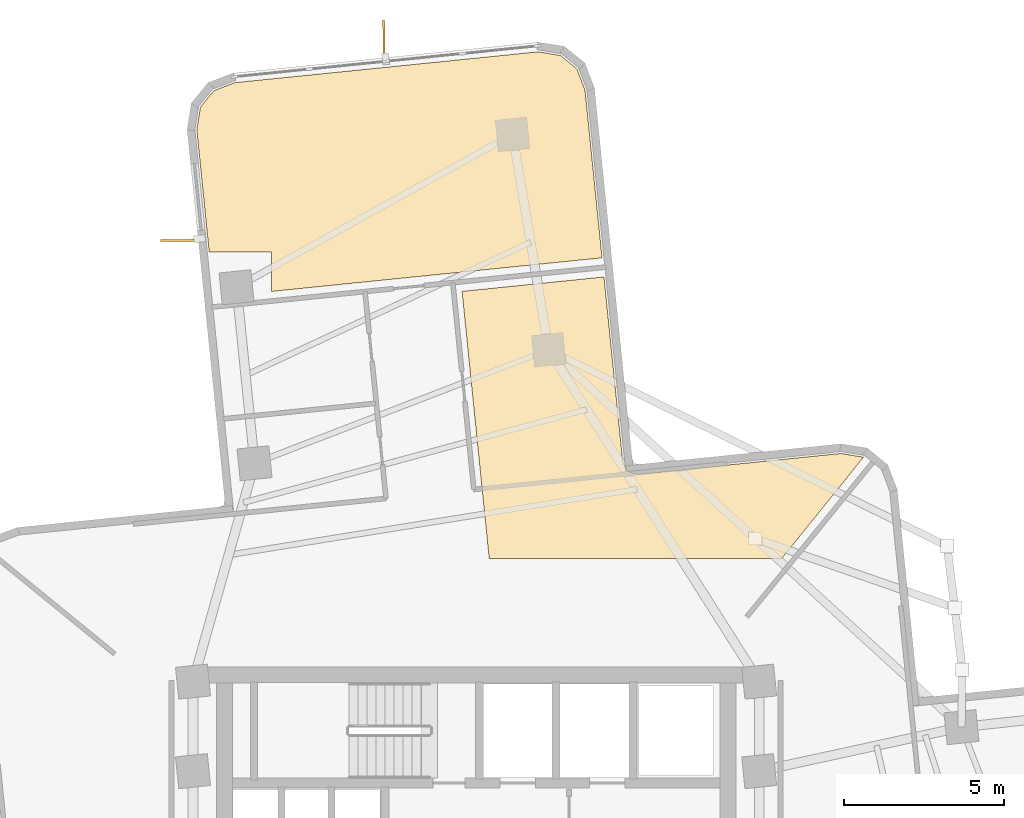
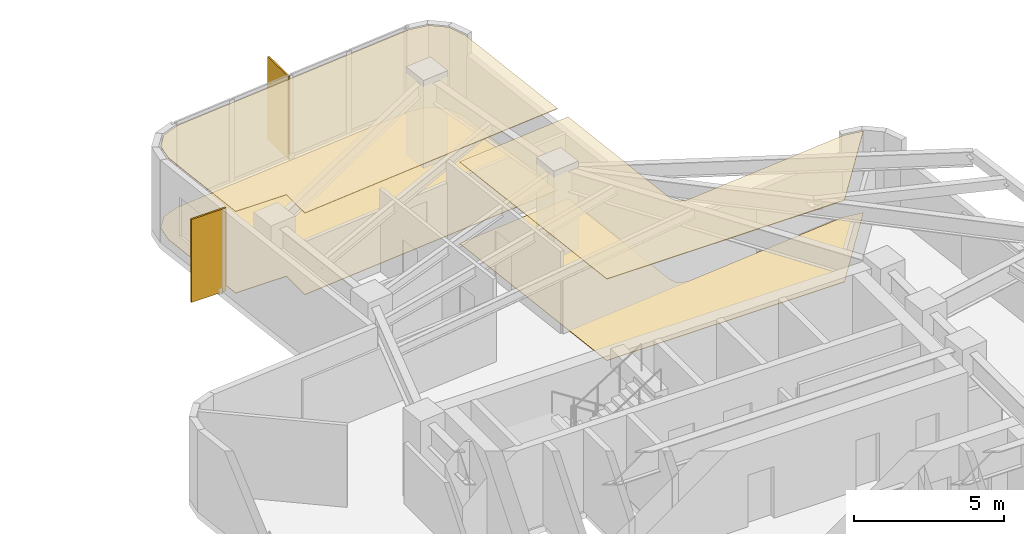
# One storey, part 12 of 12: 4 coverings, 2 shading devices.
"""IFC4 building model written with IfcOpenShell, lengths in metres."""

import ifcopenshell
import ifcopenshell.guid

model = None  # the IFC model being written
_history = None  # IfcOwnerHistory: only IFC2X3 demands one
_inside = {}  # id of a spatial element -> (the spatial element, [elements in it])
_under = {}  # id of a project, library or spatial element -> (it, [spatial elements below it])
_declared = {}  # id of a project -> (the project, [libraries it declares])
_typed = {}  # id of a type object -> (the type object, [elements of that type])
_made_of = {}  # id of a material, layer set ... -> (it, [elements and type objects made of it])


def new_model(schema):
    """Start an empty IFC model of exactly this schema.

    Asked for "IFC4X3", IfcOpenShell would pick the latest addendum, in which some entities
    have other attributes; the version numbers below select the first issue.
    IFC2X3 requires an IfcOwnerHistory on every rooted entity: one is made here for all.
    """
    global model, _history
    if schema == "IFC4X3":
        model = ifcopenshell.file(schema_version=(4, 3, 0, 0))
    else:
        model = ifcopenshell.file(schema=schema)
    _inside.clear()
    _under.clear()
    _declared.clear()
    _typed.clear()
    _made_of.clear()
    _history = None
    if model.schema == "IFC2X3":
        org = make("IfcOrganization", Name="unknown")
        user = make(
            "IfcPersonAndOrganization",
            ThePerson=make("IfcPerson", FamilyName="unknown"),
            TheOrganization=org,
        )
        app = make(
            "IfcApplication",
            ApplicationDeveloper=org,
            Version="unknown",
            ApplicationFullName="unknown",
            ApplicationIdentifier="unknown",
        )
        _history = make(
            "IfcOwnerHistory",
            OwningUser=user,
            OwningApplication=app,
            ChangeAction="ADDED",
            CreationDate=0,
        )
    return model


def make(cls, **values):
    """One entity of the class cls with the attributes given. An attribute that is None is left unset."""
    return model.create_entity(
        cls, **{name: value for name, value in values.items() if value is not None}
    )


def rooted(cls, **values):
    """An entity with a GlobalId (a new one), such as an element, a storey or a relation."""
    return make(cls, GlobalId=ifcopenshell.guid.new(), OwnerHistory=_history, **values)


def si_unit(unit_type, name, prefix=None):
    """IfcSIUnit, for example si_unit("LENGTHUNIT", "METRE", prefix="MILLI")."""
    return make("IfcSIUnit", UnitType=unit_type, Prefix=prefix, Name=name)


def assignment(units):
    """IfcUnitAssignment: the units of a project."""
    return None if units is None else make("IfcUnitAssignment", Units=units)


def point(xyz):
    """IfcCartesianPoint."""
    return None if xyz is None else make("IfcCartesianPoint", Coordinates=xyz)


def direction(xyz):
    """IfcDirection."""
    return None if xyz is None else make("IfcDirection", DirectionRatios=xyz)


def frame(location, z_axis=None, x_axis=None):
    """IfcAxis2Placement3D, a coordinate frame: its origin and axes. An axis left out is left unset."""
    return make(
        "IfcAxis2Placement3D",
        Location=point(location),
        Axis=direction(z_axis),
        RefDirection=direction(x_axis),
    )


def frame_2d(location, x_axis=None):
    """IfcAxis2Placement2D, a coordinate frame in the plane: its origin and x axis."""
    return make(
        "IfcAxis2Placement2D", Location=point(location), RefDirection=direction(x_axis)
    )


def origin():
    """The frame at (0, 0, 0) with its axes left unset."""
    return frame((0.0, 0.0, 0.0))


def origin_2d():
    """The frame at (0, 0) in the plane with its x axis left unset."""
    return frame_2d((0.0, 0.0))


def place(relative_to, where):
    """IfcLocalPlacement: puts the frame where relative to a parent placement (None: the world)."""
    return make(
        "IfcLocalPlacement", PlacementRelTo=relative_to, RelativePlacement=where
    )


def context(
    kind, dimensions, precision=None, world=None, true_north=None, identifier=None
):
    """IfcGeometricRepresentationContext, for example the 3D "Model" context."""
    return make(
        "IfcGeometricRepresentationContext",
        ContextIdentifier=identifier,
        ContextType=kind,
        CoordinateSpaceDimension=dimensions,
        Precision=precision,
        WorldCoordinateSystem=world,
        TrueNorth=true_north,
    )


def subcontext(parent, identifier, kind, view, scale=None):
    """IfcGeometricRepresentationSubContext, for example "Body" below "Model"."""
    return make(
        "IfcGeometricRepresentationSubContext",
        ContextIdentifier=identifier,
        ContextType=kind,
        ParentContext=parent,
        TargetScale=scale,
        TargetView=view,
    )


def project(units=None, contexts=None):
    """IfcProject with its units and contexts."""
    return rooted(
        "IfcProject",
        Name="project",
        RepresentationContexts=contexts,
        UnitsInContext=assignment(units),
    )


def spatial(cls, under=None, at=None, **own):
    """A site, building, storey or space (cls), placed at a placement, below another one or the project."""
    s = rooted(cls, ObjectPlacement=at, **own)
    if under is not None:
        _under.setdefault(under.id(), (under, []))[1].append(s)
    return s


def polyline(points):
    """IfcPolyline through the points."""
    return make("IfcPolyline", Points=[point(p) for p in points])


def profile(cls, at=None, kind="AREA", **sizes):
    """A parametric profile (cls). Its sizes go by their IFC names, for example OverallWidth=200.0."""
    return make(cls, ProfileType=kind, Position=at, **sizes)


def rectangle(**sizes):
    """IfcRectangleProfileDef."""
    return profile("IfcRectangleProfileDef", **sizes)


def outline(outer, holes=None, kind="AREA"):
    """IfcArbitraryClosedProfileDef: a profile drawn as a closed curve; with holes, ...WithVoids."""
    if holes is None:
        return make("IfcArbitraryClosedProfileDef", ProfileType=kind, OuterCurve=outer)
    return make(
        "IfcArbitraryProfileDefWithVoids",
        ProfileType=kind,
        OuterCurve=outer,
        InnerCurves=holes,
    )


def extrude(swept, where, along, depth):
    """IfcExtrudedAreaSolid: the profile swept, set in the frame where, extruded along a direction by depth."""
    return make(
        "IfcExtrudedAreaSolid",
        SweptArea=swept,
        Position=where,
        ExtrudedDirection=direction(along),
        Depth=depth,
    )


def shape(context_of_items, identifier, shape_type, items):
    """IfcShapeRepresentation: the items that make up one representation, for example the "Body"."""
    return make(
        "IfcShapeRepresentation",
        ContextOfItems=context_of_items,
        RepresentationIdentifier=identifier,
        RepresentationType=shape_type,
        Items=items,
    )


def material(Name=None, Category=None):
    """IfcMaterial."""
    return make("IfcMaterial", Name=Name, Category=Category)


def layer(
    of_material, thickness, ventilated=None, Name=None, Category=None, Priority=None
):
    """IfcMaterialLayer: one layer of a wall or slab, of a material (None: an air gap)."""
    return make(
        "IfcMaterialLayer",
        Material=of_material,
        LayerThickness=thickness,
        IsVentilated=ventilated,
        Name=Name,
        Category=Category,
        Priority=Priority,
    )


def layer_set(layers, Name=None):
    """IfcMaterialLayerSet."""
    return make("IfcMaterialLayerSet", MaterialLayers=layers, LayerSetName=Name)


def made_of(thing, what):
    """Note that an element or type object is made of a material, layer set ...; save() writes the relation."""
    if what is not None:
        _made_of.setdefault(what.id(), (what, []))[1].append(thing)
    return thing


def type_object(cls, material=None, **own):
    """A type object (cls), such as IfcWallType, which elements share."""
    return made_of(rooted(cls, **own), material)


def element(
    cls,
    number,
    at=None,
    inside=None,
    cuts=None,
    type_object=None,
    material=None,
    context=None,
    identifier="Body",
    shape_type=None,
    held_by="IfcProductDefinitionShape",
    body=None,
    shapes=None,
    **own,
):
    """One element of the class cls, such as IfcWall. Its Tag is "e" and its number.

    at: its placement. inside: the storey or other place that contains it. cuts: it is an
    opening in that element (IfcRelVoidsElement). A single representation is given by context,
    identifier, shape_type and body (its items); several are given by shapes. held_by: the class
    of the entity that holds the representations. save() writes the other relations.
    """
    e = rooted(cls, Tag="e%d" % number, ObjectPlacement=at, **own)
    if body is not None:
        shapes = [shape(context, identifier, shape_type, body)]
    if shapes is not None:
        e.Representation = make(held_by, Representations=shapes)
    if inside is not None:
        _inside.setdefault(inside.id(), (inside, []))[1].append(e)
    if cuts is not None:
        rooted(
            "IfcRelVoidsElement", RelatingBuildingElement=cuts, RelatedOpeningElement=e
        )
    if type_object is not None:
        _typed.setdefault(type_object.id(), (type_object, []))[1].append(e)
    return made_of(e, material)


def aggregate(whole, parts):
    """IfcRelAggregates: a whole, such as a stair, and the parts it consists of."""
    return rooted("IfcRelAggregates", RelatingObject=whole, RelatedObjects=parts)


def save(model, path):
    """Write the relations noted so far, then the file.

    IfcRelAggregates (storeys below a building ...), IfcRelContainedInSpatialStructure (elements
    in a storey), IfcRelDefinesByType, IfcRelAssociatesMaterial and IfcRelDeclares: one each for
    every whole, place, type object, material and project.
    """
    for whole, parts in _under.values():
        aggregate(whole, parts)
    for where, things in _inside.values():
        rooted(
            "IfcRelContainedInSpatialStructure",
            RelatedElements=things,
            RelatingStructure=where,
        )
    for kind, things in _typed.values():
        rooted("IfcRelDefinesByType", RelatedObjects=things, RelatingType=kind)
    for what, things in _made_of.values():
        rooted("IfcRelAssociatesMaterial", RelatedObjects=things, RelatingMaterial=what)
    for by, libraries in _declared.values():
        rooted("IfcRelDeclares", RelatingContext=by, RelatedDefinitions=libraries)
    model.write(path)


model = new_model("IFC4")

# Units and contexts
model_context = context("Model", 3, precision=1e-05, world=origin(), true_north=direction((0.0, 1.0)))
body_context = subcontext(model_context, "Body", "Model", "MODEL_VIEW")
ifc_project = project(units=[si_unit("LENGTHUNIT", "METRE"), si_unit("AREAUNIT", "SQUARE_METRE"), si_unit("VOLUMEUNIT", "CUBIC_METRE"), si_unit("PLANEANGLEUNIT", "RADIAN"), si_unit("MASSUNIT", "GRAM", prefix="KILO")], contexts=[model_context])

# Site, building, storey
site_placement = place(None, origin())
site = spatial("IfcSite", under=ifc_project, at=site_placement, CompositionType="ELEMENT")
building_placement = place(site_placement, origin())
building = spatial("IfcBuilding", under=site, at=building_placement, Name="Solmarez Civic Tower", CompositionType="ELEMENT")
storey_placement = place(building_placement, frame((0.0, 0.0, 74.8798828125)))
storey = spatial("IfcBuildingStorey", under=building, at=storey_placement, Name="L19", CompositionType="ELEMENT", Elevation=74.8798828125)

# Coverings
ifc_material_1 = material(Name="Perforated Mineral-Fibre Acoustic Ceiling")
ifc_layer_1 = layer(ifc_material_1, 0.02490234375)
ifc_layer_set_1 = layer_set([ifc_layer_1], Name="Perforated Mineral-Fibre Acoustic Ceiling")
covering_type_1 = type_object("IfcCoveringType", Name="COV-CEIL-ACOUSTIC", PredefinedType="CEILING", material=ifc_layer_set_1)
covering_1_placement = place(storey_placement, frame((0.0, 0.0, 3.315185546875)))
element("IfcCovering", 1, at=covering_1_placement, inside=storey, type_object=covering_type_1, Name="L19 Suspended Acoustic Ceiling 1", PredefinedType="CEILING", context=body_context, shape_type="SweptSolid", body=[
    extrude(outline(polyline([(3.93798828125, 21.59912109375), (3.405029296875, 26.842041015625), (3.153076171875, 27.50390625), (2.635986328125, 27.926025390625), (1.93603515625, 28.0390625), (-7.534912109375, 27.076904296875), (-8.197998046875, 26.824951171875), (-8.618896484375, 26.30908203125), (-8.73193359375, 25.60888671875), (-8.343994140625, 21.779052734375), (-6.388916015625, 21.779052734375), (-6.388916015625, 20.549072265625), (3.93798828125, 21.59912109375)])), origin(), (0.0, 0.0, 1.0), 0.02490234375),
])
covering_2_placement = place(storey_placement, frame((0.0, 0.0, 3.315185546875)))
element("IfcCovering", 2, at=covering_2_placement, inside=storey, type_object=covering_type_1, Name="L19 Suspended Acoustic Ceiling 2", PredefinedType="CEILING", context=body_context, shape_type="SweptSolid", body=[
    extrude(outline(polyline([(0.408935546875, 12.199951171875), (9.556884765625, 12.199951171875), (12.10888671875, 15.364013671875), (12.10302734375, 15.367919921875), (11.404052734375, 15.48193359375), (5.136962890625, 14.844970703125), (5.114990234375, 14.843994140625), (5.10107421875, 14.843994140625), (5.070068359375, 14.845947265625), (5.05908203125, 14.847900390625), (4.888916015625, 14.875), (4.87109375, 14.87890625), (4.863037109375, 14.881103515625), (4.85595703125, 14.882080078125), (4.84912109375, 14.884033203125), (4.822021484375, 14.89404296875), (4.81494140625, 14.89697265625), (4.80810546875, 14.89990234375), (4.7890625, 14.908935546875), (4.77099609375, 14.919921875), (4.75390625, 14.93310546875), (4.748046875, 14.93798828125), (4.741943359375, 14.943115234375), (4.72705078125, 14.9560546875), (4.721923828125, 14.9609375), (4.708984375, 14.97607421875), (4.7041015625, 14.98193359375), (4.68994140625, 15.0009765625), (4.68603515625, 15.007080078125), (4.677978515625, 15.02001953125), (4.674072265625, 15.027099609375), (4.6630859375, 15.049072265625), (4.659912109375, 15.055908203125), (4.656005859375, 15.06494140625), (4.594970703125, 15.22509765625), (4.589111328125, 15.242919921875), (4.5869140625, 15.25), (4.5849609375, 15.257080078125), (4.5791015625, 15.285888671875), (4.577880859375, 15.29296875), (4.576904296875, 15.302001953125), (3.998046875, 21.001953125), (-0.43896484375, 20.550048828125), (0.408935546875, 12.199951171875)])), origin(), (0.0, 0.0, 1.0), 0.02490234375),
])
ifc_material_2 = material(Name="Polished Tropical Stone Terrazzo Flooring", Category="masonry")
ifc_layer_2 = layer(ifc_material_2, 0.02001953125)
ifc_layer_set_2 = layer_set([ifc_layer_2], Name="Polished Tropical Stone Terrazzo Flooring")
covering_type_2 = type_object("IfcCoveringType", Name="COV-FLOOR-TERRAZZO", PredefinedType="FLOORING", material=ifc_layer_set_2)
covering_3_placement = place(storey_placement, origin())
element("IfcCovering", 3, at=covering_3_placement, inside=storey, type_object=covering_type_2, Name="L19 Terrazzo Floor Finish 1", PredefinedType="FLOORING", context=body_context, shape_type="SweptSolid", body=[
    extrude(outline(polyline([(3.93798828125, 21.59912109375), (3.405029296875, 26.842041015625), (3.153076171875, 27.50390625), (2.635986328125, 27.926025390625), (1.93603515625, 28.0390625), (-7.534912109375, 27.076904296875), (-8.197998046875, 26.824951171875), (-8.618896484375, 26.30908203125), (-8.73193359375, 25.60888671875), (-8.343994140625, 21.779052734375), (-6.388916015625, 21.779052734375), (-6.388916015625, 20.549072265625), (3.93798828125, 21.59912109375)])), origin(), (0.0, 0.0, 1.0), 0.02001953125),
])
covering_4_placement = place(storey_placement, origin())
element("IfcCovering", 4, at=covering_4_placement, inside=storey, type_object=covering_type_2, Name="L19 Terrazzo Floor Finish 2", PredefinedType="FLOORING", context=body_context, shape_type="SweptSolid", body=[
    extrude(outline(polyline([(0.408935546875, 12.199951171875), (9.556884765625, 12.199951171875), (12.10888671875, 15.364013671875), (12.10302734375, 15.367919921875), (11.404052734375, 15.48193359375), (5.136962890625, 14.844970703125), (5.114990234375, 14.843994140625), (5.10107421875, 14.843994140625), (5.070068359375, 14.845947265625), (5.05908203125, 14.847900390625), (4.888916015625, 14.875), (4.87109375, 14.87890625), (4.863037109375, 14.881103515625), (4.85595703125, 14.882080078125), (4.84912109375, 14.884033203125), (4.822021484375, 14.89404296875), (4.81494140625, 14.89697265625), (4.80810546875, 14.89990234375), (4.7890625, 14.908935546875), (4.77099609375, 14.919921875), (4.75390625, 14.93310546875), (4.748046875, 14.93798828125), (4.741943359375, 14.943115234375), (4.72705078125, 14.9560546875), (4.721923828125, 14.9609375), (4.708984375, 14.97607421875), (4.7041015625, 14.98193359375), (4.68994140625, 15.0009765625), (4.68603515625, 15.007080078125), (4.677978515625, 15.02001953125), (4.674072265625, 15.027099609375), (4.6630859375, 15.049072265625), (4.659912109375, 15.055908203125), (4.656005859375, 15.06494140625), (4.594970703125, 15.22509765625), (4.589111328125, 15.242919921875), (4.5869140625, 15.25), (4.5849609375, 15.257080078125), (4.5791015625, 15.285888671875), (4.577880859375, 15.29296875), (4.576904296875, 15.302001953125), (3.998046875, 21.001953125), (-0.43896484375, 20.550048828125), (0.408935546875, 12.199951171875)])), origin(), (0.0, 0.0, 1.0), 0.02001953125),
])

# Shading devices
ifc_material_3 = material(Name="Bronze Anodised Aluminium EN AW-6063 T6", Category="aluminium")
ifc_layer_3 = layer(ifc_material_3, 0.06494140625)
ifc_layer_set_3 = layer_set([ifc_layer_3], Name="Bronze Anodised Aluminium EN AW-6063 T6")
shading_device_type = type_object("IfcShadingDeviceType", Name="FIN-BRONZE-Z12", PredefinedType="USERDEFINED", material=ifc_layer_set_3)
for number, where, z_axis, x_axis, name in (
    (5, (-9.18896484375, 22.14404296875, -0.039794921875), (0.0, 0.0, 1.0), (-0.999926643539, -0.012112288829, 0.0), "L19 Anodised Bronze Solar Fin FIN-L19-03"),
    (6, (-2.881103515625, 28.35888671875, -0.039794921875), (0.0, 0.0, 1.0), (-0.012112288829, 0.999926643539, 0.0), "L19 Anodised Bronze Solar Fin FIN-L19-04"),
):
    element("IfcShadingDevice", number, at=place(storey_placement, frame(where, z_axis=z_axis, x_axis=x_axis)), inside=storey, type_object=shading_device_type, Name=name, ObjectType="FIN", PredefinedType="USERDEFINED", context=body_context, shape_type="SweptSolid", body=[
        extrude(rectangle(XDim=1.35009765625, YDim=0.06494140625, at=origin_2d()), origin(), (0.0, 0.0, 1.0), 3.3798828125),
    ])

save(model, "model.ifc")
